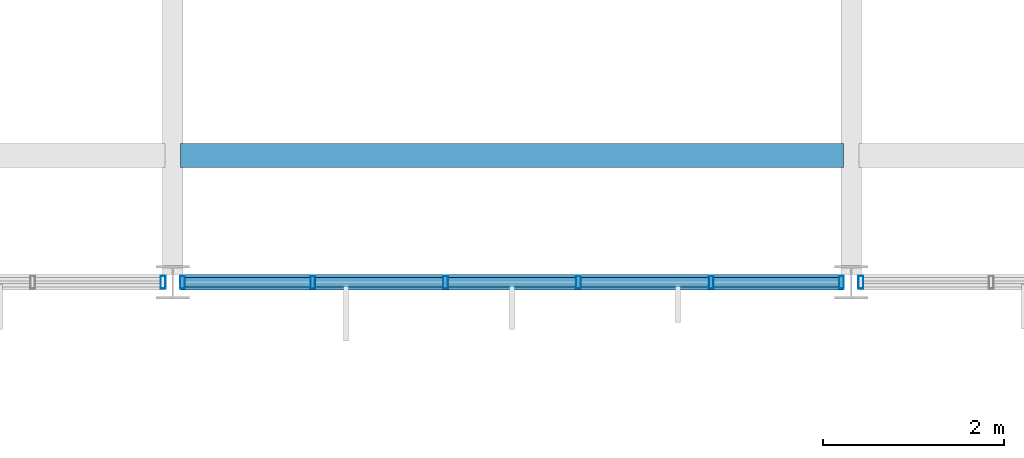
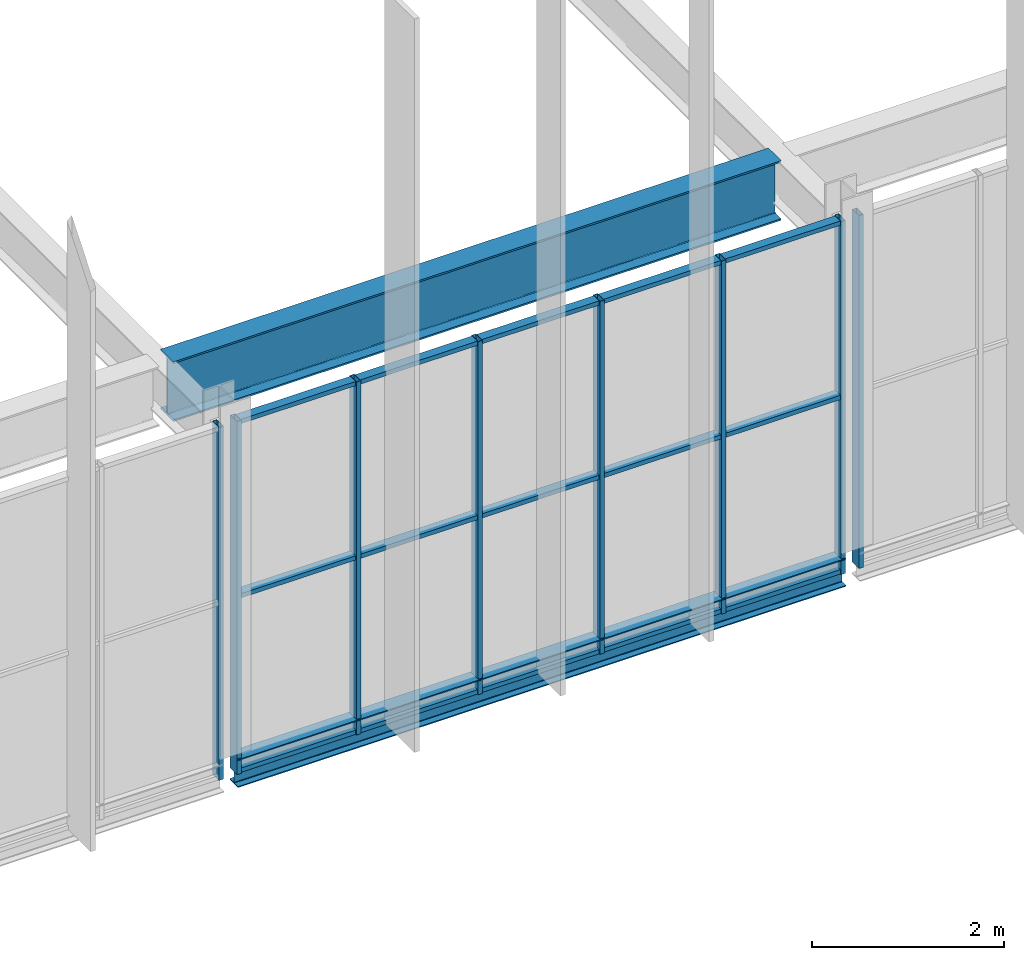
# One storey, part 71 of 324: 23 members, 2 beams, 3 elements without a shape of their own.
"""IFC4 building model written with IfcOpenShell, lengths in metres."""

from ifc_helpers import new_model, si_unit, direction, frame, origin, origin_2d, place, context, subcontext, project, spatial, hollow_rectangle, i_section, extrude, material, layer, layer_set, material_profile, profile_set, type_object, element, aggregate, save


model = new_model("IFC4")

# Units and contexts
model_context = context("Model", 3, precision=1e-05, world=origin(), true_north=direction((0.0, 1.0)))
body_context = subcontext(model_context, "Body", "Model", "MODEL_VIEW")
ifc_project = project(units=[si_unit("LENGTHUNIT", "METRE"), si_unit("AREAUNIT", "SQUARE_METRE"), si_unit("VOLUMEUNIT", "CUBIC_METRE"), si_unit("PLANEANGLEUNIT", "RADIAN"), si_unit("MASSUNIT", "GRAM", prefix="KILO")], contexts=[model_context])

# Site, building, storey
site_placement = place(None, origin())
site = spatial("IfcSite", under=ifc_project, at=site_placement, CompositionType="ELEMENT")
building_placement = place(site_placement, origin())
building = spatial("IfcBuilding", under=site, at=building_placement, Name="Solvenia Promenade Tram Depot", CompositionType="ELEMENT")
storey_placement = place(building_placement, frame((0.0, 0.0, 4.5)))
storey = spatial("IfcBuildingStorey", under=building, at=storey_placement, Name="L01", CompositionType="ELEMENT", Elevation=4.5)

# Curtain wall, member
ifc_material_1 = material(Name="Anodized aluminium AW-6063 T6", Category="aluminium")
ifc_layer = layer(ifc_material_1, 0.080078125, Name="Anodized aluminium AW-6063 T6", Category="aluminium")
ifc_layer_set = layer_set([ifc_layer], Name="Anodized aluminium AW-6063 T6")
curtain_wall_type = type_object("IfcCurtainWallType", Name="CW-Clerest-1500", PredefinedType="NOTDEFINED", material=ifc_layer_set)
curtain_wall_1_placement = place(storey_placement, origin())
curtain_wall_1 = element("IfcCurtainWall", 1, at=curtain_wall_1_placement, inside=storey, type_object=curtain_wall_type, Name="Curtain Wall CW-V2S-L1-02", PredefinedType="NOTDEFINED")
ifc_material_profile_1 = material_profile(ifc_material_1, hollow_rectangle(XDim=0.139892578125, YDim=0.054931640625, WallThickness=0.00390625, at=origin_2d()), Name="ALU-M4", Category="aluminium")
ifc_profile_set_1 = profile_set([ifc_material_profile_1], Name="Anodized aluminium AW-6063 T6")
member_type_1 = type_object("IfcMemberType", Name="CWM-Mullion-4", PredefinedType="MULLION", material=ifc_profile_set_1)
member_1_placement = place(storey_placement, frame((119.892578125, 24.0, -0.35009765625), z_axis=(0.0, 0.0, 1.0), x_axis=(0.0, 1.0, 0.0)))
member_1 = element("IfcMember", 2, at=member_1_placement, type_object=member_type_1, Name="CW-4 mullion 6", PredefinedType="MULLION", context=body_context, shape_type="SweptSolid", body=[
    extrude(hollow_rectangle(XDim=0.139892578125, YDim=0.054931640625, WallThickness=0.00390625, at=origin_2d()), origin(), (0.0, 0.0, 1.0), 4.5),
])
aggregate(curtain_wall_1, [member_1])

# Curtain wall, members
curtain_wall_2_placement = place(storey_placement, origin())
curtain_wall_2 = element("IfcCurtainWall", 3, at=curtain_wall_2_placement, inside=storey, type_object=curtain_wall_type, Name="Curtain Wall CW-V2S-L1-03", PredefinedType="NOTDEFINED")
member_2_placement = place(storey_placement, frame((120.107421875, 24.0, -0.35009765625), z_axis=(0.0, 0.0, 1.0), x_axis=(0.0, 1.0, 0.0)))
member_2 = element("IfcMember", 4, at=member_2_placement, type_object=member_type_1, Name="CW-4 mullion 1", PredefinedType="MULLION", context=body_context, shape_type="SweptSolid", body=[
    extrude(hollow_rectangle(XDim=0.139892578125, YDim=0.054931640625, WallThickness=0.00390625, at=origin_2d()), origin(), (0.0, 0.0, 1.0), 4.5),
])
member_3_placement = place(storey_placement, frame((121.548095703125, 24.0, -0.35009765625), z_axis=(0.0, 0.0, 1.0), x_axis=(0.0, 1.0, 0.0)))
member_3 = element("IfcMember", 5, at=member_3_placement, type_object=member_type_1, Name="CW-4 mullion 2", PredefinedType="MULLION", context=body_context, shape_type="SweptSolid", body=[
    extrude(hollow_rectangle(XDim=0.139892578125, YDim=0.054931640625, WallThickness=0.00390625, at=origin_2d()), origin(), (0.0, 0.0, 1.0), 4.5),
])
member_4_placement = place(storey_placement, frame((123.01611328125, 24.0, -0.35009765625), z_axis=(0.0, 0.0, 1.0), x_axis=(0.0, 1.0, 0.0)))
member_4 = element("IfcMember", 6, at=member_4_placement, type_object=member_type_1, Name="CW-4 mullion 3", PredefinedType="MULLION", context=body_context, shape_type="SweptSolid", body=[
    extrude(hollow_rectangle(XDim=0.139892578125, YDim=0.054931640625, WallThickness=0.00390625, at=origin_2d()), origin(), (0.0, 0.0, 1.0), 4.5),
])
member_5_placement = place(storey_placement, frame((124.48388671875, 24.0, -0.35009765625), z_axis=(0.0, 0.0, 1.0), x_axis=(0.0, 1.0, 0.0)))
member_5 = element("IfcMember", 7, at=member_5_placement, type_object=member_type_1, Name="CW-4 mullion 4", PredefinedType="MULLION", context=body_context, shape_type="SweptSolid", body=[
    extrude(hollow_rectangle(XDim=0.139892578125, YDim=0.054931640625, WallThickness=0.00390625, at=origin_2d()), origin(), (0.0, 0.0, 1.0), 4.5),
])
member_6_placement = place(storey_placement, frame((125.951904296875, 24.0, -0.35009765625), z_axis=(0.0, 0.0, 1.0), x_axis=(0.0, 1.0, 0.0)))
member_6 = element("IfcMember", 8, at=member_6_placement, type_object=member_type_1, Name="CW-4 mullion 5", PredefinedType="MULLION", context=body_context, shape_type="SweptSolid", body=[
    extrude(hollow_rectangle(XDim=0.139892578125, YDim=0.054931640625, WallThickness=0.00390625, at=origin_2d()), origin(), (0.0, 0.0, 1.0), 4.5),
])
member_7_placement = place(storey_placement, frame((127.392578125, 24.0, -0.35009765625), z_axis=(0.0, 0.0, 1.0), x_axis=(0.0, 1.0, 0.0)))
member_7 = element("IfcMember", 9, at=member_7_placement, type_object=member_type_1, Name="CW-4 mullion 6", PredefinedType="MULLION", context=body_context, shape_type="SweptSolid", body=[
    extrude(hollow_rectangle(XDim=0.139892578125, YDim=0.054931640625, WallThickness=0.00390625, at=origin_2d()), origin(), (0.0, 0.0, 1.0), 4.5),
])

# Curtain wall, member
curtain_wall_3_placement = place(storey_placement, origin())
curtain_wall_3 = element("IfcCurtainWall", 10, at=curtain_wall_3_placement, inside=storey, type_object=curtain_wall_type, Name="Curtain Wall CW-V2S-L1-04", PredefinedType="NOTDEFINED")
member_8_placement = place(storey_placement, frame((127.607421875, 24.0, -0.35009765625), z_axis=(0.0, 0.0, 1.0), x_axis=(0.0, 1.0, 0.0)))
member_8 = element("IfcMember", 11, at=member_8_placement, type_object=member_type_1, Name="CW-4 mullion 1", PredefinedType="MULLION", context=body_context, shape_type="SweptSolid", body=[
    extrude(hollow_rectangle(XDim=0.139892578125, YDim=0.054931640625, WallThickness=0.00390625, at=origin_2d()), origin(), (0.0, 0.0, 1.0), 4.5),
])
aggregate(curtain_wall_3, [member_8])

# Member
ifc_material_profile_2 = material_profile(ifc_material_1, hollow_rectangle(XDim=0.110107421875, YDim=0.054931640625, WallThickness=0.00390625, at=origin_2d()), Name="ALU-T4", Category="aluminium")
ifc_profile_set_2 = profile_set([ifc_material_profile_2], Name="Anodized aluminium AW-6063 T6")
member_type_2 = type_object("IfcMemberType", Name="CWT-Transom-4", PredefinedType="USERDEFINED", material=ifc_profile_set_2)
member_9_placement = place(storey_placement, frame((120.135009765625, 24.0, -0.322509765625), z_axis=(1.0, 0.0, 0.0), x_axis=(0.0, 1.0, 0.0)))
member_9 = element("IfcMember", 12, at=member_9_placement, type_object=member_type_2, Name="CW-4 transom 1.1", ObjectType="TRANSOM", PredefinedType="USERDEFINED", context=body_context, shape_type="SweptSolid", body=[
    extrude(hollow_rectangle(XDim=0.110107421875, YDim=0.054931640625, WallThickness=0.00390625, at=origin_2d()), origin(), (0.0, 0.0, 1.0), 1.385498046875),
])

member_10_placement = place(storey_placement, frame((120.135009765625, 24.0, 1.89990234375), z_axis=(1.0, 0.0, 0.0), x_axis=(0.0, 1.0, 0.0)))
member_10 = element("IfcMember", 13, at=member_10_placement, type_object=member_type_2, Name="CW-4 transom 1.2", ObjectType="TRANSOM", PredefinedType="USERDEFINED", context=body_context, shape_type="SweptSolid", body=[
    extrude(hollow_rectangle(XDim=0.110107421875, YDim=0.054931640625, WallThickness=0.00390625, at=origin_2d()), origin(), (0.0, 0.0, 1.0), 1.385498046875),
])

member_11_placement = place(storey_placement, frame((120.135009765625, 24.0, 4.12255859375), z_axis=(1.0, 0.0, 0.0), x_axis=(0.0, 1.0, 0.0)))
member_11 = element("IfcMember", 14, at=member_11_placement, type_object=member_type_2, Name="CW-4 transom 1.3", ObjectType="TRANSOM", PredefinedType="USERDEFINED", context=body_context, shape_type="SweptSolid", body=[
    extrude(hollow_rectangle(XDim=0.110107421875, YDim=0.054931640625, WallThickness=0.00390625, at=origin_2d()), origin(), (0.0, 0.0, 1.0), 1.385498046875),
])

member_12_placement = place(storey_placement, frame((121.575439453125, 24.0, -0.322509765625), z_axis=(1.0, 0.0, 0.0), x_axis=(0.0, 1.0, 0.0)))
member_12 = element("IfcMember", 15, at=member_12_placement, type_object=member_type_2, Name="CW-4 transom 2.1", ObjectType="TRANSOM", PredefinedType="USERDEFINED", context=body_context, shape_type="SweptSolid", body=[
    extrude(hollow_rectangle(XDim=0.110107421875, YDim=0.054931640625, WallThickness=0.00390625, at=origin_2d()), origin(), (0.0, 0.0, 1.0), 1.4130859375),
])

member_13_placement = place(storey_placement, frame((121.575439453125, 24.0, 1.89990234375), z_axis=(1.0, 0.0, 0.0), x_axis=(0.0, 1.0, 0.0)))
member_13 = element("IfcMember", 16, at=member_13_placement, type_object=member_type_2, Name="CW-4 transom 2.2", ObjectType="TRANSOM", PredefinedType="USERDEFINED", context=body_context, shape_type="SweptSolid", body=[
    extrude(hollow_rectangle(XDim=0.110107421875, YDim=0.054931640625, WallThickness=0.00390625, at=origin_2d()), origin(), (0.0, 0.0, 1.0), 1.4130859375),
])

member_14_placement = place(storey_placement, frame((121.575439453125, 24.0, 4.12255859375), z_axis=(1.0, 0.0, 0.0), x_axis=(0.0, 1.0, 0.0)))
member_14 = element("IfcMember", 17, at=member_14_placement, type_object=member_type_2, Name="CW-4 transom 2.3", ObjectType="TRANSOM", PredefinedType="USERDEFINED", context=body_context, shape_type="SweptSolid", body=[
    extrude(hollow_rectangle(XDim=0.110107421875, YDim=0.054931640625, WallThickness=0.00390625, at=origin_2d()), origin(), (0.0, 0.0, 1.0), 1.4130859375),
])

member_15_placement = place(storey_placement, frame((123.04345703125, 24.0, -0.322509765625), z_axis=(1.0, 0.0, 0.0), x_axis=(0.0, 1.0, 0.0)))
member_15 = element("IfcMember", 18, at=member_15_placement, type_object=member_type_2, Name="CW-4 transom 3.1", ObjectType="TRANSOM", PredefinedType="USERDEFINED", context=body_context, shape_type="SweptSolid", body=[
    extrude(hollow_rectangle(XDim=0.110107421875, YDim=0.054931640625, WallThickness=0.00390625, at=origin_2d()), origin(), (0.0, 0.0, 1.0), 1.4130859375),
])

member_16_placement = place(storey_placement, frame((123.04345703125, 24.0, 1.89990234375), z_axis=(1.0, 0.0, 0.0), x_axis=(0.0, 1.0, 0.0)))
member_16 = element("IfcMember", 19, at=member_16_placement, type_object=member_type_2, Name="CW-4 transom 3.2", ObjectType="TRANSOM", PredefinedType="USERDEFINED", context=body_context, shape_type="SweptSolid", body=[
    extrude(hollow_rectangle(XDim=0.110107421875, YDim=0.054931640625, WallThickness=0.00390625, at=origin_2d()), origin(), (0.0, 0.0, 1.0), 1.4130859375),
])

member_17_placement = place(storey_placement, frame((123.04345703125, 24.0, 4.12255859375), z_axis=(1.0, 0.0, 0.0), x_axis=(0.0, 1.0, 0.0)))
member_17 = element("IfcMember", 20, at=member_17_placement, type_object=member_type_2, Name="CW-4 transom 3.3", ObjectType="TRANSOM", PredefinedType="USERDEFINED", context=body_context, shape_type="SweptSolid", body=[
    extrude(hollow_rectangle(XDim=0.110107421875, YDim=0.054931640625, WallThickness=0.00390625, at=origin_2d()), origin(), (0.0, 0.0, 1.0), 1.4130859375),
])

member_18_placement = place(storey_placement, frame((124.511474609375, 24.0, -0.322509765625), z_axis=(1.0, 0.0, 0.0), x_axis=(0.0, 1.0, 0.0)))
member_18 = element("IfcMember", 21, at=member_18_placement, type_object=member_type_2, Name="CW-4 transom 4.1", ObjectType="TRANSOM", PredefinedType="USERDEFINED", context=body_context, shape_type="SweptSolid", body=[
    extrude(hollow_rectangle(XDim=0.110107421875, YDim=0.054931640625, WallThickness=0.00390625, at=origin_2d()), origin(), (0.0, 0.0, 1.0), 1.4130859375),
])

member_19_placement = place(storey_placement, frame((124.511474609375, 24.0, 1.89990234375), z_axis=(1.0, 0.0, 0.0), x_axis=(0.0, 1.0, 0.0)))
member_19 = element("IfcMember", 22, at=member_19_placement, type_object=member_type_2, Name="CW-4 transom 4.2", ObjectType="TRANSOM", PredefinedType="USERDEFINED", context=body_context, shape_type="SweptSolid", body=[
    extrude(hollow_rectangle(XDim=0.110107421875, YDim=0.054931640625, WallThickness=0.00390625, at=origin_2d()), origin(), (0.0, 0.0, 1.0), 1.4130859375),
])

member_20_placement = place(storey_placement, frame((124.511474609375, 24.0, 4.12255859375), z_axis=(1.0, 0.0, 0.0), x_axis=(0.0, 1.0, 0.0)))
member_20 = element("IfcMember", 23, at=member_20_placement, type_object=member_type_2, Name="CW-4 transom 4.3", ObjectType="TRANSOM", PredefinedType="USERDEFINED", context=body_context, shape_type="SweptSolid", body=[
    extrude(hollow_rectangle(XDim=0.110107421875, YDim=0.054931640625, WallThickness=0.00390625, at=origin_2d()), origin(), (0.0, 0.0, 1.0), 1.4130859375),
])

member_21_placement = place(storey_placement, frame((125.9794921875, 24.0, -0.322509765625), z_axis=(1.0, 0.0, 0.0), x_axis=(0.0, 1.0, 0.0)))
member_21 = element("IfcMember", 24, at=member_21_placement, type_object=member_type_2, Name="CW-4 transom 5.1", ObjectType="TRANSOM", PredefinedType="USERDEFINED", context=body_context, shape_type="SweptSolid", body=[
    extrude(hollow_rectangle(XDim=0.110107421875, YDim=0.054931640625, WallThickness=0.00390625, at=origin_2d()), origin(), (0.0, 0.0, 1.0), 1.385498046875),
])

member_22_placement = place(storey_placement, frame((125.9794921875, 24.0, 1.89990234375), z_axis=(1.0, 0.0, 0.0), x_axis=(0.0, 1.0, 0.0)))
member_22 = element("IfcMember", 25, at=member_22_placement, type_object=member_type_2, Name="CW-4 transom 5.2", ObjectType="TRANSOM", PredefinedType="USERDEFINED", context=body_context, shape_type="SweptSolid", body=[
    extrude(hollow_rectangle(XDim=0.110107421875, YDim=0.054931640625, WallThickness=0.00390625, at=origin_2d()), origin(), (0.0, 0.0, 1.0), 1.385498046875),
])

member_23_placement = place(storey_placement, frame((125.9794921875, 24.0, 4.12255859375), z_axis=(1.0, 0.0, 0.0), x_axis=(0.0, 1.0, 0.0)))
member_23 = element("IfcMember", 26, at=member_23_placement, type_object=member_type_2, Name="CW-4 transom 5.3", ObjectType="TRANSOM", PredefinedType="USERDEFINED", context=body_context, shape_type="SweptSolid", body=[
    extrude(hollow_rectangle(XDim=0.110107421875, YDim=0.054931640625, WallThickness=0.00390625, at=origin_2d()), origin(), (0.0, 0.0, 1.0), 1.385498046875),
])

aggregate(curtain_wall_2, [member_2, member_3, member_4, member_5, member_6, member_7, member_9, member_10, member_11, member_12, member_13, member_14, member_15, member_16, member_17, member_18, member_19, member_20, member_21, member_22, member_23])

# Beams
ifc_material_2 = material(Name="Structural steel ASTM A992 Gr. 50", Category="steel")
ifc_material_profile_3 = material_profile(ifc_material_2, i_section(OverallWidth=0.26708984375, OverallDepth=0.761962890625, WebThickness=0.014404296875, FlangeThickness=0.021484375, FilletRadius=0.01806640625, at=origin_2d()), Name="W760x173", Category="steel")
ifc_profile_set_3 = profile_set([ifc_material_profile_3], Name="Structural steel ASTM A992 Gr. 50")
beam_type_1 = type_object("IfcBeamType", Name="Gird-W760x173", PredefinedType="BEAM", material=ifc_profile_set_3)
beam_1_placement = place(storey_placement, frame((120.0849609375, 25.39990234375, 3.718994140625), z_axis=(1.0, 0.0, 0.0), x_axis=(0.0, 1.0, 0.0)))
element("IfcBeam", 27, at=beam_1_placement, inside=storey, type_object=beam_type_1, Name="Bridge Crane Runway Girder BM-L01-0918", PredefinedType="BEAM", context=body_context, shape_type="SweptSolid", body=[
    extrude(i_section(OverallWidth=0.26708984375, OverallDepth=0.761962890625, WebThickness=0.014404296875, FlangeThickness=0.021484375, FilletRadius=0.01806640625, at=origin_2d()), origin(), (0.0, 0.0, 1.0), 7.330078125),
])
ifc_material_profile_4 = material_profile(ifc_material_2, i_section(OverallWidth=0.172119140625, OverallDepth=0.35791015625, WebThickness=0.0078125, FlangeThickness=0.01318359375, FilletRadius=0.010986328125, at=origin_2d()), Name="W360x57", Category="steel")
ifc_profile_set_4 = profile_set([ifc_material_profile_4], Name="Structural steel ASTM A992 Gr. 50")
beam_type_2 = type_object("IfcBeamType", Name="Spandrel-W360x57", PredefinedType="SPANDREL", material=ifc_profile_set_4)
beam_2_placement = place(storey_placement, frame((120.0849609375, 24.0, -0.3291015625), z_axis=(1.0, 0.0, 0.0), x_axis=(0.0, 1.0, 0.0)))
element("IfcBeam", 28, at=beam_2_placement, inside=storey, type_object=beam_type_2, Name="Crane Hall L01 Facade Girt BM-L01-0992", PredefinedType="SPANDREL", context=body_context, shape_type="SweptSolid", body=[
    extrude(i_section(OverallWidth=0.172119140625, OverallDepth=0.35791015625, WebThickness=0.0078125, FlangeThickness=0.01318359375, FilletRadius=0.010986328125, at=origin_2d()), origin(), (0.0, 0.0, 1.0), 7.330078125),
])

save(model, "model.ifc")
